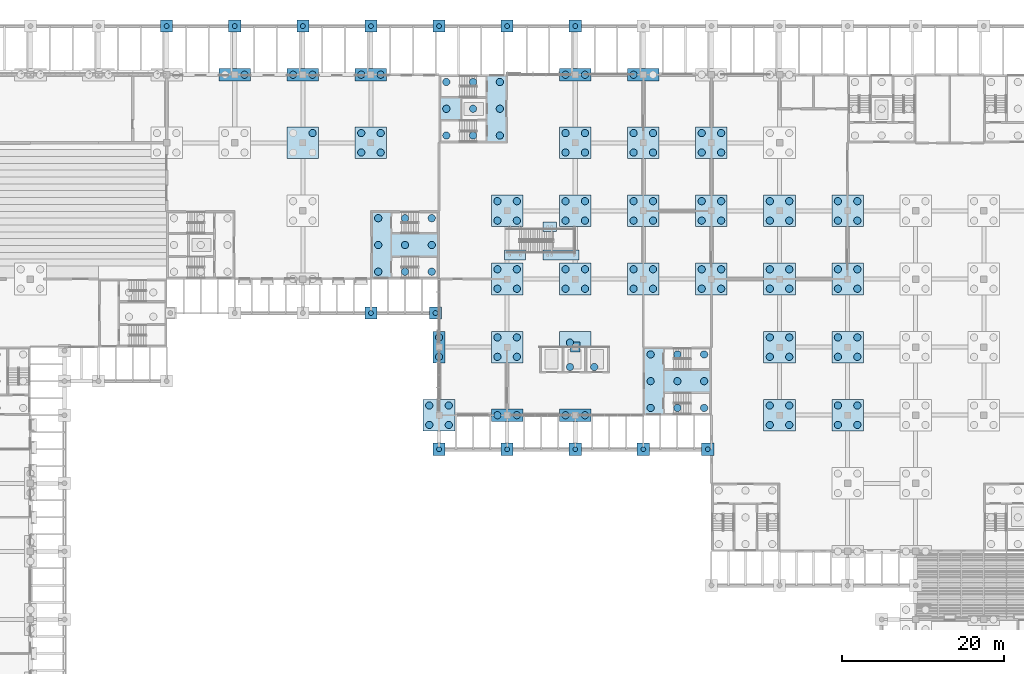
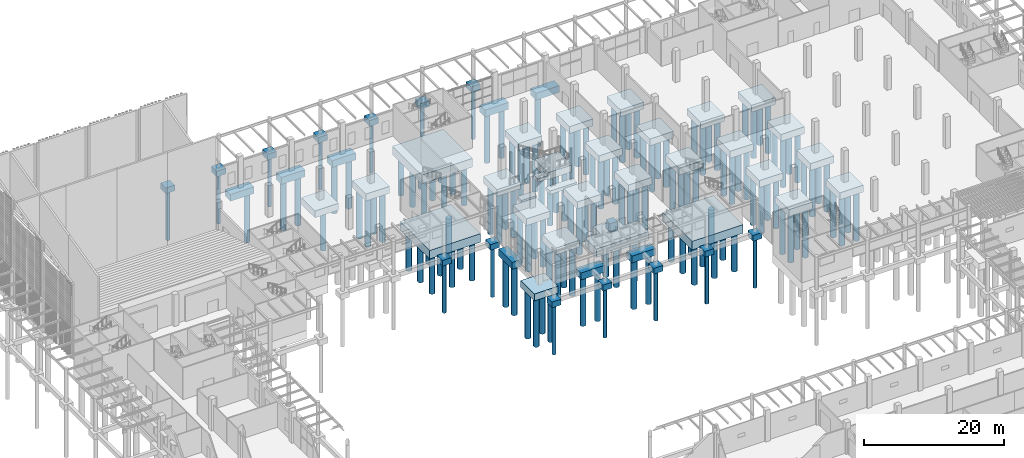
# One storey, part 3 of 82: 147 piles, 53 footings.
"""IFC4 building model written with IfcOpenShell, lengths in metres."""

from ifc_helpers import new_model, si_unit, direction, frame, origin, origin_2d, place, context, subcontext, project, spatial, polyline, rectangle, circle, outline, extrude, material, material_profile, profile_set, type_object, element, save


model = new_model("IFC4")

# Units and contexts
model_context = context("Model", 3, precision=1e-05, world=origin(), true_north=direction((0.0, 1.0)))
body_context = subcontext(model_context, "Body", "Model", "MODEL_VIEW")
ifc_project = project(units=[si_unit("LENGTHUNIT", "METRE"), si_unit("AREAUNIT", "SQUARE_METRE"), si_unit("VOLUMEUNIT", "CUBIC_METRE"), si_unit("PLANEANGLEUNIT", "RADIAN"), si_unit("MASSUNIT", "GRAM", prefix="KILO")], contexts=[model_context])

# Site, building, storey
site_placement = place(None, origin())
site = spatial("IfcSite", under=ifc_project, at=site_placement, CompositionType="ELEMENT")
building_placement = place(site_placement, origin())
building = spatial("IfcBuilding", under=site, at=building_placement, Name="Almond Square Museum", CompositionType="ELEMENT")
storey_placement = place(building_placement, origin())
storey = spatial("IfcBuildingStorey", under=building, at=storey_placement, Name="L00", CompositionType="ELEMENT", Elevation=0.0)

# Piles
ifc_material_1 = material(Name="Concrete C35/45", Category="concrete")
ifc_material_profile_1 = material_profile(ifc_material_1, circle(Radius=0.300048828125, at=origin_2d()))
ifc_profile_set_1 = profile_set([ifc_material_profile_1], Name="Concrete C35/45")
pile_type_1 = type_object("IfcPileType", Name="Bored pile D600 C35/45", PredefinedType="BORED", material=ifc_profile_set_1)
for number, where, z_axis, x_axis, name in (
    (1, (73.199951171875, 63.0, -1.199951171875), (0.0, 0.0, -1.0), (1.0, 0.0, 0.0), "Bored pile 121-1"),
    (2, (81.60009765625, 63.0, -1.199951171875), (0.0, 0.0, -1.0), (1.0, 0.0, 0.0), "Bored pile 122-1"),
    (3, (90.0, 63.0, -1.199951171875), (0.0, 0.0, -1.0), (1.0, 0.0, 0.0), "Bored pile 123-1"),
    (4, (98.39990234375, 63.0, -1.199951171875), (0.0, 0.0, -1.0), (1.0, 0.0, 0.0), "Bored pile 124-1"),
    (5, (106.35009765625, 63.0, -1.199951171875), (0.0, 0.0, -1.0), (1.0, 0.0, 0.0), "Bored pile 125-1"),
    (6, (64.800048828125, 79.800048828125, -1.199951171875), (0.0, 0.0, -1.0), (1.0, 0.0, 0.0), "Bored pile 159-1"),
    (7, (72.75, 79.800048828125, -1.199951171875), (0.0, 0.0, -1.0), (1.0, 0.0, 0.0), "Bored pile 160-1"),
    (8, (39.60009765625, 115.199951171875, -1.199951171875), (0.0, 0.0, -1.0), (1.0, 0.0, 0.0), "Bored pile 224-1"),
    (9, (48.0, 115.199951171875, -1.199951171875), (0.0, 0.0, -1.0), (1.0, 0.0, 0.0), "Bored pile 225-1"),
    (10, (56.39990234375, 115.199951171875, -1.199951171875), (0.0, 0.0, -1.0), (1.0, 0.0, 0.0), "Bored pile 226-1"),
    (11, (64.800048828125, 115.199951171875, -1.199951171875), (0.0, 0.0, -1.0), (1.0, 0.0, 0.0), "Bored pile 227-1"),
    (12, (73.199951171875, 115.199951171875, -1.199951171875), (0.0, 0.0, -1.0), (1.0, 0.0, 0.0), "Bored pile 228-1"),
    (13, (81.60009765625, 115.199951171875, -1.199951171875), (0.0, 0.0, -1.0), (1.0, 0.0, 0.0), "Bored pile 229-1"),
    (14, (90.0, 115.199951171875, -1.199951171875), (0.0, 0.0, -1.0), (1.0, 0.0, 0.0), "Bored pile 230-1"),
):
    element("IfcPile", number, at=place(storey_placement, frame(where, z_axis=z_axis, x_axis=x_axis)), inside=storey, type_object=pile_type_1, Name=name, PredefinedType="BORED", context=body_context, shape_type="SweptSolid", body=[
        extrude(circle(Radius=0.300048828125, at=origin_2d()), origin(), (0.0, 0.0, 1.0), 8.800048828125),
    ])
ifc_material_2 = material(Name="Concrete C35/45", Category="concrete")
ifc_material_profile_2 = material_profile(ifc_material_2, circle(Radius=0.449951171875, at=origin_2d()))
ifc_profile_set_2 = profile_set([ifc_material_profile_2], Name="Concrete C35/45")
pile_type_2 = type_object("IfcPileType", Name="Bored pile D900 C35/45", PredefinedType="BORED", material=ifc_profile_set_2)
for number, where, z_axis, x_axis, name in (
    (15, (72.0, 66.0, -1.39990234375), (0.0, 0.0, -1.0), (1.0, 0.0, 0.0), "Bored pile 127-1"),
    (16, (72.0, 68.39990234375, -1.39990234375), (0.0, 0.0, -1.0), (1.0, 0.0, 0.0), "Bored pile 127-2"),
    (17, (74.39990234375, 66.0, -1.39990234375), (0.0, 0.0, -1.0), (1.0, 0.0, 0.0), "Bored pile 127-3"),
    (18, (74.39990234375, 68.39990234375, -1.39990234375), (0.0, 0.0, -1.0), (1.0, 0.0, 0.0), "Bored pile 127-4"),
    (19, (114.0, 66.0, -1.39990234375), (0.0, 0.0, -1.0), (1.0, 0.0, 0.0), "Bored pile 128-1"),
    (20, (114.0, 68.39990234375, -1.39990234375), (0.0, 0.0, -1.0), (1.0, 0.0, 0.0), "Bored pile 128-2"),
    (21, (116.39990234375, 66.0, -1.39990234375), (0.0, 0.0, -1.0), (1.0, 0.0, 0.0), "Bored pile 128-3"),
    (22, (116.39990234375, 68.39990234375, -1.39990234375), (0.0, 0.0, -1.0), (1.0, 0.0, 0.0), "Bored pile 128-4"),
    (23, (122.39990234375, 66.0, -1.39990234375), (0.0, 0.0, -1.0), (1.0, 0.0, 0.0), "Bored pile 129-1"),
    (24, (122.39990234375, 68.39990234375, -1.39990234375), (0.0, 0.0, -1.0), (1.0, 0.0, 0.0), "Bored pile 129-2"),
    (25, (124.800048828125, 66.0, -1.39990234375), (0.0, 0.0, -1.0), (1.0, 0.0, 0.0), "Bored pile 129-3"),
    (26, (124.800048828125, 68.39990234375, -1.39990234375), (0.0, 0.0, -1.0), (1.0, 0.0, 0.0), "Bored pile 129-4"),
    (27, (80.39990234375, 67.199951171875, -1.39990234375), (0.0, 0.0, -1.0), (1.0, 0.0, 0.0), "Bored pile 136-1"),
    (28, (82.800048828125, 67.199951171875, -1.39990234375), (0.0, 0.0, -1.0), (1.0, 0.0, 0.0), "Bored pile 136-2"),
    (29, (88.800048828125, 67.199951171875, -1.39990234375), (0.0, 0.0, -1.0), (1.0, 0.0, 0.0), "Bored pile 137-1"),
    (30, (91.199951171875, 67.199951171875, -1.39990234375), (0.0, 0.0, -1.0), (1.0, 0.0, 0.0), "Bored pile 137-2"),
):
    element("IfcPile", number, at=place(storey_placement, frame(where, z_axis=z_axis, x_axis=x_axis)), inside=storey, type_object=pile_type_2, Name=name, PredefinedType="BORED", context=body_context, shape_type="SweptSolid", body=[
        extrude(circle(Radius=0.449951171875, at=origin_2d()), origin(), (0.0, 0.0, 1.0), 8.60009765625),
    ])
for number, where, z_axis, x_axis, name in (
    (31, (99.300048828125, 68.10009765625, -3.199951171875), (0.0, 0.0, -1.0), (1.0, 0.0, 0.0), "Bored pile 140-1"),
    (32, (99.300048828125, 71.39990234375, -3.199951171875), (0.0, 0.0, -1.0), (1.0, 0.0, 0.0), "Bored pile 140-2"),
    (33, (99.300048828125, 74.699951171875, -3.199951171875), (0.0, 0.0, -1.0), (1.0, 0.0, 0.0), "Bored pile 140-3"),
    (34, (102.60009765625, 68.10009765625, -3.199951171875), (0.0, 0.0, -1.0), (1.0, 0.0, 0.0), "Bored pile 140-4"),
    (35, (102.60009765625, 71.39990234375, -3.199951171875), (0.0, 0.0, -1.0), (1.0, 0.0, 0.0), "Bored pile 140-5"),
    (36, (102.60009765625, 74.699951171875, -3.199951171875), (0.0, 0.0, -1.0), (1.0, 0.0, 0.0), "Bored pile 140-6"),
    (37, (105.89990234375, 68.10009765625, -3.199951171875), (0.0, 0.0, -1.0), (1.0, 0.0, 0.0), "Bored pile 140-7"),
    (38, (105.89990234375, 71.39990234375, -3.199951171875), (0.0, 0.0, -1.0), (1.0, 0.0, 0.0), "Bored pile 140-8"),
    (39, (105.89990234375, 74.699951171875, -3.199951171875), (0.0, 0.0, -1.0), (1.0, 0.0, 0.0), "Bored pile 140-9"),
    (40, (89.35009765625, 73.14990234375, -3.199951171875), (0.0, 0.0, -1.0), (1.0, 0.0, 0.0), "Bored pile 144-1"),
    (41, (89.35009765625, 76.14990234375, -3.199951171875), (0.0, 0.0, -1.0), (1.0, 0.0, 0.0), "Bored pile 144-2"),
    (42, (92.35009765625, 73.14990234375, -3.199951171875), (0.0, 0.0, -1.0), (1.0, 0.0, 0.0), "Bored pile 144-3"),
):
    element("IfcPile", number, at=place(storey_placement, frame(where, z_axis=z_axis, x_axis=x_axis)), inside=storey, type_object=pile_type_2, Name=name, PredefinedType="BORED", context=body_context, shape_type="SweptSolid", body=[
        extrude(circle(Radius=0.449951171875, at=origin_2d()), origin(), (0.0, 0.0, 1.0), 6.800048828125),
    ])
for number, where, z_axis, x_axis, name in (
    (43, (73.199951171875, 74.39990234375, -1.39990234375), (0.0, 0.0, -1.0), (1.0, 0.0, 0.0), "Bored pile 145-1"),
    (44, (73.199951171875, 76.800048828125, -1.39990234375), (0.0, 0.0, -1.0), (1.0, 0.0, 0.0), "Bored pile 145-2"),
    (45, (80.39990234375, 74.39990234375, -1.39990234375), (0.0, 0.0, -1.0), (1.0, 0.0, 0.0), "Bored pile 146-1"),
    (46, (80.39990234375, 76.800048828125, -1.39990234375), (0.0, 0.0, -1.0), (1.0, 0.0, 0.0), "Bored pile 146-2"),
    (47, (82.800048828125, 74.39990234375, -1.39990234375), (0.0, 0.0, -1.0), (1.0, 0.0, 0.0), "Bored pile 146-3"),
    (48, (82.800048828125, 76.800048828125, -1.39990234375), (0.0, 0.0, -1.0), (1.0, 0.0, 0.0), "Bored pile 146-4"),
    (49, (114.0, 74.39990234375, -1.39990234375), (0.0, 0.0, -1.0), (1.0, 0.0, 0.0), "Bored pile 147-1"),
    (50, (114.0, 76.800048828125, -1.39990234375), (0.0, 0.0, -1.0), (1.0, 0.0, 0.0), "Bored pile 147-2"),
    (51, (116.39990234375, 74.39990234375, -1.39990234375), (0.0, 0.0, -1.0), (1.0, 0.0, 0.0), "Bored pile 147-3"),
    (52, (116.39990234375, 76.800048828125, -1.39990234375), (0.0, 0.0, -1.0), (1.0, 0.0, 0.0), "Bored pile 147-4"),
    (53, (122.39990234375, 74.39990234375, -1.39990234375), (0.0, 0.0, -1.0), (1.0, 0.0, 0.0), "Bored pile 148-1"),
    (54, (122.39990234375, 76.800048828125, -1.39990234375), (0.0, 0.0, -1.0), (1.0, 0.0, 0.0), "Bored pile 148-2"),
    (55, (124.800048828125, 74.39990234375, -1.39990234375), (0.0, 0.0, -1.0), (1.0, 0.0, 0.0), "Bored pile 148-3"),
    (56, (124.800048828125, 76.800048828125, -1.39990234375), (0.0, 0.0, -1.0), (1.0, 0.0, 0.0), "Bored pile 148-4"),
    (57, (80.39990234375, 82.800048828125, -1.39990234375), (0.0, 0.0, -1.0), (1.0, 0.0, 0.0), "Bored pile 162-1"),
    (58, (80.39990234375, 85.199951171875, -1.39990234375), (0.0, 0.0, -1.0), (1.0, 0.0, 0.0), "Bored pile 162-2"),
    (59, (82.800048828125, 82.800048828125, -1.39990234375), (0.0, 0.0, -1.0), (1.0, 0.0, 0.0), "Bored pile 162-3"),
    (60, (82.800048828125, 85.199951171875, -1.39990234375), (0.0, 0.0, -1.0), (1.0, 0.0, 0.0), "Bored pile 162-4"),
    (61, (88.800048828125, 82.800048828125, -1.39990234375), (0.0, 0.0, -1.0), (1.0, 0.0, 0.0), "Bored pile 163-1"),
    (62, (88.800048828125, 85.199951171875, -1.39990234375), (0.0, 0.0, -1.0), (1.0, 0.0, 0.0), "Bored pile 163-2"),
    (63, (91.199951171875, 82.800048828125, -1.39990234375), (0.0, 0.0, -1.0), (1.0, 0.0, 0.0), "Bored pile 163-3"),
    (64, (91.199951171875, 85.199951171875, -1.39990234375), (0.0, 0.0, -1.0), (1.0, 0.0, 0.0), "Bored pile 163-4"),
    (65, (97.199951171875, 82.800048828125, -1.39990234375), (0.0, 0.0, -1.0), (1.0, 0.0, 0.0), "Bored pile 164-1"),
    (66, (97.199951171875, 85.199951171875, -1.39990234375), (0.0, 0.0, -1.0), (1.0, 0.0, 0.0), "Bored pile 164-2"),
    (67, (99.60009765625, 82.800048828125, -1.39990234375), (0.0, 0.0, -1.0), (1.0, 0.0, 0.0), "Bored pile 164-3"),
    (68, (99.60009765625, 85.199951171875, -1.39990234375), (0.0, 0.0, -1.0), (1.0, 0.0, 0.0), "Bored pile 164-4"),
    (69, (105.60009765625, 82.800048828125, -1.39990234375), (0.0, 0.0, -1.0), (1.0, 0.0, 0.0), "Bored pile 165-1"),
    (70, (105.60009765625, 85.199951171875, -1.39990234375), (0.0, 0.0, -1.0), (1.0, 0.0, 0.0), "Bored pile 165-2"),
    (71, (108.0, 82.800048828125, -1.39990234375), (0.0, 0.0, -1.0), (1.0, 0.0, 0.0), "Bored pile 165-3"),
    (72, (108.0, 85.199951171875, -1.39990234375), (0.0, 0.0, -1.0), (1.0, 0.0, 0.0), "Bored pile 165-4"),
    (73, (114.0, 82.800048828125, -1.39990234375), (0.0, 0.0, -1.0), (1.0, 0.0, 0.0), "Bored pile 166-1"),
    (74, (114.0, 85.199951171875, -1.39990234375), (0.0, 0.0, -1.0), (1.0, 0.0, 0.0), "Bored pile 166-2"),
    (75, (116.39990234375, 82.800048828125, -1.39990234375), (0.0, 0.0, -1.0), (1.0, 0.0, 0.0), "Bored pile 166-3"),
    (76, (116.39990234375, 85.199951171875, -1.39990234375), (0.0, 0.0, -1.0), (1.0, 0.0, 0.0), "Bored pile 166-4"),
    (77, (122.39990234375, 82.800048828125, -1.39990234375), (0.0, 0.0, -1.0), (1.0, 0.0, 0.0), "Bored pile 167-1"),
    (78, (122.39990234375, 85.199951171875, -1.39990234375), (0.0, 0.0, -1.0), (1.0, 0.0, 0.0), "Bored pile 167-2"),
    (79, (124.800048828125, 82.800048828125, -1.39990234375), (0.0, 0.0, -1.0), (1.0, 0.0, 0.0), "Bored pile 167-3"),
    (80, (124.800048828125, 85.199951171875, -1.39990234375), (0.0, 0.0, -1.0), (1.0, 0.0, 0.0), "Bored pile 167-4"),
):
    element("IfcPile", number, at=place(storey_placement, frame(where, z_axis=z_axis, x_axis=x_axis)), inside=storey, type_object=pile_type_2, Name=name, PredefinedType="BORED", context=body_context, shape_type="SweptSolid", body=[
        extrude(circle(Radius=0.449951171875, at=origin_2d()), origin(), (0.0, 0.0, 1.0), 8.60009765625),
    ])
for number, where, z_axis, x_axis, name in (
    (81, (65.699951171875, 84.89990234375, -3.199951171875), (0.0, 0.0, -1.0), (1.0, 0.0, 0.0), "Bored pile 174-1"),
    (82, (65.699951171875, 88.199951171875, -3.199951171875), (0.0, 0.0, -1.0), (1.0, 0.0, 0.0), "Bored pile 174-2"),
    (83, (65.699951171875, 91.5, -3.199951171875), (0.0, 0.0, -1.0), (1.0, 0.0, 0.0), "Bored pile 174-3"),
    (84, (69.0, 84.89990234375, -3.199951171875), (0.0, 0.0, -1.0), (1.0, 0.0, 0.0), "Bored pile 174-4"),
    (85, (69.0, 88.199951171875, -3.199951171875), (0.0, 0.0, -1.0), (1.0, 0.0, 0.0), "Bored pile 174-5"),
    (86, (69.0, 91.5, -3.199951171875), (0.0, 0.0, -1.0), (1.0, 0.0, 0.0), "Bored pile 174-6"),
    (87, (72.300048828125, 84.89990234375, -3.199951171875), (0.0, 0.0, -1.0), (1.0, 0.0, 0.0), "Bored pile 174-7"),
    (88, (72.300048828125, 88.199951171875, -3.199951171875), (0.0, 0.0, -1.0), (1.0, 0.0, 0.0), "Bored pile 174-8"),
    (89, (72.300048828125, 91.5, -3.199951171875), (0.0, 0.0, -1.0), (1.0, 0.0, 0.0), "Bored pile 174-9"),
):
    element("IfcPile", number, at=place(storey_placement, frame(where, z_axis=z_axis, x_axis=x_axis)), inside=storey, type_object=pile_type_2, Name=name, PredefinedType="BORED", context=body_context, shape_type="SweptSolid", body=[
        extrude(circle(Radius=0.449951171875, at=origin_2d()), origin(), (0.0, 0.0, 1.0), 6.800048828125),
    ])
for number, where, z_axis, x_axis, name in (
    (90, (80.39990234375, 91.199951171875, -1.39990234375), (0.0, 0.0, -1.0), (1.0, 0.0, 0.0), "Bored pile 177-1"),
    (91, (80.39990234375, 93.60009765625, -1.39990234375), (0.0, 0.0, -1.0), (1.0, 0.0, 0.0), "Bored pile 177-2"),
    (92, (82.800048828125, 91.199951171875, -1.39990234375), (0.0, 0.0, -1.0), (1.0, 0.0, 0.0), "Bored pile 177-3"),
    (93, (82.800048828125, 93.60009765625, -1.39990234375), (0.0, 0.0, -1.0), (1.0, 0.0, 0.0), "Bored pile 177-4"),
    (94, (88.800048828125, 91.199951171875, -1.39990234375), (0.0, 0.0, -1.0), (1.0, 0.0, 0.0), "Bored pile 178-1"),
    (95, (88.800048828125, 93.60009765625, -1.39990234375), (0.0, 0.0, -1.0), (1.0, 0.0, 0.0), "Bored pile 178-2"),
    (96, (91.199951171875, 91.199951171875, -1.39990234375), (0.0, 0.0, -1.0), (1.0, 0.0, 0.0), "Bored pile 178-3"),
    (97, (91.199951171875, 93.60009765625, -1.39990234375), (0.0, 0.0, -1.0), (1.0, 0.0, 0.0), "Bored pile 178-4"),
    (98, (97.199951171875, 91.199951171875, -1.39990234375), (0.0, 0.0, -1.0), (1.0, 0.0, 0.0), "Bored pile 179-1"),
    (99, (97.199951171875, 93.60009765625, -1.39990234375), (0.0, 0.0, -1.0), (1.0, 0.0, 0.0), "Bored pile 179-2"),
    (100, (99.60009765625, 91.199951171875, -1.39990234375), (0.0, 0.0, -1.0), (1.0, 0.0, 0.0), "Bored pile 179-3"),
    (101, (99.60009765625, 93.60009765625, -1.39990234375), (0.0, 0.0, -1.0), (1.0, 0.0, 0.0), "Bored pile 179-4"),
    (102, (105.60009765625, 91.199951171875, -1.39990234375), (0.0, 0.0, -1.0), (1.0, 0.0, 0.0), "Bored pile 180-1"),
    (103, (105.60009765625, 93.60009765625, -1.39990234375), (0.0, 0.0, -1.0), (1.0, 0.0, 0.0), "Bored pile 180-2"),
    (104, (108.0, 91.199951171875, -1.39990234375), (0.0, 0.0, -1.0), (1.0, 0.0, 0.0), "Bored pile 180-3"),
    (105, (108.0, 93.60009765625, -1.39990234375), (0.0, 0.0, -1.0), (1.0, 0.0, 0.0), "Bored pile 180-4"),
    (106, (114.0, 91.199951171875, -1.39990234375), (0.0, 0.0, -1.0), (1.0, 0.0, 0.0), "Bored pile 181-1"),
    (107, (114.0, 93.60009765625, -1.39990234375), (0.0, 0.0, -1.0), (1.0, 0.0, 0.0), "Bored pile 181-2"),
    (108, (116.39990234375, 91.199951171875, -1.39990234375), (0.0, 0.0, -1.0), (1.0, 0.0, 0.0), "Bored pile 181-3"),
    (109, (116.39990234375, 93.60009765625, -1.39990234375), (0.0, 0.0, -1.0), (1.0, 0.0, 0.0), "Bored pile 181-4"),
    (110, (122.39990234375, 91.199951171875, -1.39990234375), (0.0, 0.0, -1.0), (1.0, 0.0, 0.0), "Bored pile 182-1"),
    (111, (122.39990234375, 93.60009765625, -1.39990234375), (0.0, 0.0, -1.0), (1.0, 0.0, 0.0), "Bored pile 182-2"),
    (112, (124.800048828125, 91.199951171875, -1.39990234375), (0.0, 0.0, -1.0), (1.0, 0.0, 0.0), "Bored pile 182-3"),
    (113, (124.800048828125, 93.60009765625, -1.39990234375), (0.0, 0.0, -1.0), (1.0, 0.0, 0.0), "Bored pile 182-4"),
    (114, (57.60009765625, 102.0, -1.39990234375), (0.0, 0.0, -1.0), (1.0, 0.0, 0.0), "Bored pile 192-4"),
    (115, (63.60009765625, 99.60009765625, -1.39990234375), (0.0, 0.0, -1.0), (1.0, 0.0, 0.0), "Bored pile 193-1"),
    (116, (63.60009765625, 102.0, -1.39990234375), (0.0, 0.0, -1.0), (1.0, 0.0, 0.0), "Bored pile 193-2"),
    (117, (66.0, 99.60009765625, -1.39990234375), (0.0, 0.0, -1.0), (1.0, 0.0, 0.0), "Bored pile 193-3"),
    (118, (66.0, 102.0, -1.39990234375), (0.0, 0.0, -1.0), (1.0, 0.0, 0.0), "Bored pile 193-4"),
    (119, (88.800048828125, 99.60009765625, -1.39990234375), (0.0, 0.0, -1.0), (1.0, 0.0, 0.0), "Bored pile 194-1"),
    (120, (88.800048828125, 102.0, -1.39990234375), (0.0, 0.0, -1.0), (1.0, 0.0, 0.0), "Bored pile 194-2"),
    (121, (91.199951171875, 99.60009765625, -1.39990234375), (0.0, 0.0, -1.0), (1.0, 0.0, 0.0), "Bored pile 194-3"),
    (122, (91.199951171875, 102.0, -1.39990234375), (0.0, 0.0, -1.0), (1.0, 0.0, 0.0), "Bored pile 194-4"),
    (123, (97.199951171875, 99.60009765625, -1.39990234375), (0.0, 0.0, -1.0), (1.0, 0.0, 0.0), "Bored pile 195-1"),
    (124, (97.199951171875, 102.0, -1.39990234375), (0.0, 0.0, -1.0), (1.0, 0.0, 0.0), "Bored pile 195-2"),
    (125, (99.60009765625, 99.60009765625, -1.39990234375), (0.0, 0.0, -1.0), (1.0, 0.0, 0.0), "Bored pile 195-3"),
    (126, (99.60009765625, 102.0, -1.39990234375), (0.0, 0.0, -1.0), (1.0, 0.0, 0.0), "Bored pile 195-4"),
    (127, (105.60009765625, 99.60009765625, -1.39990234375), (0.0, 0.0, -1.0), (1.0, 0.0, 0.0), "Bored pile 196-1"),
    (128, (105.60009765625, 102.0, -1.39990234375), (0.0, 0.0, -1.0), (1.0, 0.0, 0.0), "Bored pile 196-2"),
    (129, (108.0, 99.60009765625, -1.39990234375), (0.0, 0.0, -1.0), (1.0, 0.0, 0.0), "Bored pile 196-3"),
    (130, (108.0, 102.0, -1.39990234375), (0.0, 0.0, -1.0), (1.0, 0.0, 0.0), "Bored pile 196-4"),
):
    element("IfcPile", number, at=place(storey_placement, frame(where, z_axis=z_axis, x_axis=x_axis)), inside=storey, type_object=pile_type_2, Name=name, PredefinedType="BORED", context=body_context, shape_type="SweptSolid", body=[
        extrude(circle(Radius=0.449951171875, at=origin_2d()), origin(), (0.0, 0.0, 1.0), 8.60009765625),
    ])
for number, where, z_axis, x_axis, name in (
    (131, (74.10009765625, 101.699951171875, -3.199951171875), (0.0, 0.0, -1.0), (1.0, 0.0, 0.0), "Bored pile 201-1"),
    (132, (74.10009765625, 105.0, -3.199951171875), (0.0, 0.0, -1.0), (1.0, 0.0, 0.0), "Bored pile 201-2"),
    (133, (74.10009765625, 108.300048828125, -3.199951171875), (0.0, 0.0, -1.0), (1.0, 0.0, 0.0), "Bored pile 201-3"),
    (134, (77.39990234375, 101.699951171875, -3.199951171875), (0.0, 0.0, -1.0), (1.0, 0.0, 0.0), "Bored pile 201-4"),
    (135, (77.39990234375, 105.0, -3.199951171875), (0.0, 0.0, -1.0), (1.0, 0.0, 0.0), "Bored pile 201-5"),
    (136, (77.39990234375, 108.300048828125, -3.199951171875), (0.0, 0.0, -1.0), (1.0, 0.0, 0.0), "Bored pile 201-6"),
    (137, (80.699951171875, 101.699951171875, -3.199951171875), (0.0, 0.0, -1.0), (1.0, 0.0, 0.0), "Bored pile 201-7"),
    (138, (80.699951171875, 105.0, -3.199951171875), (0.0, 0.0, -1.0), (1.0, 0.0, 0.0), "Bored pile 201-8"),
    (139, (80.699951171875, 108.300048828125, -3.199951171875), (0.0, 0.0, -1.0), (1.0, 0.0, 0.0), "Bored pile 201-9"),
):
    element("IfcPile", number, at=place(storey_placement, frame(where, z_axis=z_axis, x_axis=x_axis)), inside=storey, type_object=pile_type_2, Name=name, PredefinedType="BORED", context=body_context, shape_type="SweptSolid", body=[
        extrude(circle(Radius=0.449951171875, at=origin_2d()), origin(), (0.0, 0.0, 1.0), 6.800048828125),
    ])
for number, where, z_axis, x_axis, name in (
    (140, (49.199951171875, 109.199951171875, -1.39990234375), (0.0, 0.0, -1.0), (1.0, 0.0, 0.0), "Bored pile 211-2"),
    (141, (55.199951171875, 109.199951171875, -1.39990234375), (0.0, 0.0, -1.0), (1.0, 0.0, 0.0), "Bored pile 212-1"),
    (142, (57.60009765625, 109.199951171875, -1.39990234375), (0.0, 0.0, -1.0), (1.0, 0.0, 0.0), "Bored pile 212-2"),
    (143, (63.60009765625, 109.199951171875, -1.39990234375), (0.0, 0.0, -1.0), (1.0, 0.0, 0.0), "Bored pile 213-1"),
    (144, (66.0, 109.199951171875, -1.39990234375), (0.0, 0.0, -1.0), (1.0, 0.0, 0.0), "Bored pile 213-2"),
    (145, (88.800048828125, 109.199951171875, -1.39990234375), (0.0, 0.0, -1.0), (1.0, 0.0, 0.0), "Bored pile 214-1"),
    (146, (91.199951171875, 109.199951171875, -1.39990234375), (0.0, 0.0, -1.0), (1.0, 0.0, 0.0), "Bored pile 214-2"),
    (147, (97.199951171875, 109.199951171875, -1.39990234375), (0.0, 0.0, -1.0), (1.0, 0.0, 0.0), "Bored pile 215-1"),
):
    element("IfcPile", number, at=place(storey_placement, frame(where, z_axis=z_axis, x_axis=x_axis)), inside=storey, type_object=pile_type_2, Name=name, PredefinedType="BORED", context=body_context, shape_type="SweptSolid", body=[
        extrude(circle(Radius=0.449951171875, at=origin_2d()), origin(), (0.0, 0.0, 1.0), 8.60009765625),
    ])

# Footings
ifc_material_3 = material(Name="Concrete C35/45", Category="concrete")
footing_type_1 = type_object("IfcFootingType", Name="Column pedestal on a combined cap", PredefinedType="PAD_FOOTING", material=ifc_material_3)
footing_1_placement = place(storey_placement, frame((90.0, 75.60009765625, -1.800048828125), z_axis=(0.0, 0.0, 1.0), x_axis=(1.0, 0.0, 0.0)))
element("IfcFooting", 148, at=footing_1_placement, inside=storey, type_object=footing_type_1, Name="Column pedestal PD-03", PredefinedType="PAD_FOOTING", context=body_context, shape_type="SweptSolid", body=[
    extrude(rectangle(XDim=1.199951171875, YDim=1.199951171875, at=origin_2d()), origin(), (0.0, 0.0, 1.0), 1.5),
])
ifc_material_4 = material(Name="Concrete C35/45", Category="concrete")
footing_type_2 = type_object("IfcFootingType", Name="Pile cap on a core and the columns beside it on a combined raft", PredefinedType="PILE_CAP", material=ifc_material_4)
footing_2_placement = place(storey_placement, frame((0.0, 0.0, -3.300048828125)))
element("IfcFooting", 149, at=footing_2_placement, inside=storey, type_object=footing_type_2, Name="Pile cap PC-144", PredefinedType="PILE_CAP", context=body_context, shape_type="SweptSolid", body=[
    extrude(outline(polyline([(94.199951171875, 75.60009765625), (94.199951171875, 72.39990234375), (85.60009765625, 72.39990234375), (85.60009765625, 75.60009765625), (88.050048828125, 75.60009765625), (88.050048828125, 77.550048828125), (91.949951171875, 77.550048828125), (91.949951171875, 75.60009765625), (94.199951171875, 75.60009765625)])), origin(), (0.0, 0.0, 1.0), 1.5),
])
ifc_material_5 = material(Name="Concrete C35/45", Category="concrete")
footing_type_3 = type_object("IfcFootingType", Name="Pile cap on four bored piles D900", PredefinedType="PILE_CAP", material=ifc_material_5)
for number, where, z_axis, x_axis, name in (
    (150, (73.199951171875, 67.199951171875, -1.5), (0.0, 0.0, 1.0), (1.0, 0.0, 0.0), "Pile cap PC-127"),
    (151, (115.199951171875, 67.199951171875, -1.5), (0.0, 0.0, 1.0), (1.0, 0.0, 0.0), "Pile cap PC-128"),
    (152, (123.60009765625, 67.199951171875, -1.5), (0.0, 0.0, 1.0), (1.0, 0.0, 0.0), "Pile cap PC-129"),
    (153, (81.60009765625, 75.60009765625, -1.5), (0.0, 0.0, 1.0), (1.0, 0.0, 0.0), "Pile cap PC-146"),
    (154, (115.199951171875, 75.60009765625, -1.5), (0.0, 0.0, 1.0), (1.0, 0.0, 0.0), "Pile cap PC-147"),
    (155, (123.60009765625, 75.60009765625, -1.5), (0.0, 0.0, 1.0), (1.0, 0.0, 0.0), "Pile cap PC-148"),
    (156, (81.60009765625, 84.0, -1.5), (0.0, 0.0, 1.0), (1.0, 0.0, 0.0), "Pile cap PC-162"),
    (157, (90.0, 84.0, -1.5), (0.0, 0.0, 1.0), (1.0, 0.0, 0.0), "Pile cap PC-163"),
    (158, (98.39990234375, 84.0, -1.5), (0.0, 0.0, 1.0), (1.0, 0.0, 0.0), "Pile cap PC-164"),
    (159, (106.800048828125, 84.0, -1.5), (0.0, 0.0, 1.0), (1.0, 0.0, 0.0), "Pile cap PC-165"),
    (160, (115.199951171875, 84.0, -1.5), (0.0, 0.0, 1.0), (1.0, 0.0, 0.0), "Pile cap PC-166"),
    (161, (123.60009765625, 84.0, -1.5), (0.0, 0.0, 1.0), (1.0, 0.0, 0.0), "Pile cap PC-167"),
    (162, (81.60009765625, 92.39990234375, -1.5), (0.0, 0.0, 1.0), (1.0, 0.0, 0.0), "Pile cap PC-177"),
    (163, (90.0, 92.39990234375, -1.5), (0.0, 0.0, 1.0), (1.0, 0.0, 0.0), "Pile cap PC-178"),
    (164, (98.39990234375, 92.39990234375, -1.5), (0.0, 0.0, 1.0), (1.0, 0.0, 0.0), "Pile cap PC-179"),
    (165, (106.800048828125, 92.39990234375, -1.5), (0.0, 0.0, 1.0), (1.0, 0.0, 0.0), "Pile cap PC-180"),
    (166, (115.199951171875, 92.39990234375, -1.5), (0.0, 0.0, 1.0), (1.0, 0.0, 0.0), "Pile cap PC-181"),
    (167, (123.60009765625, 92.39990234375, -1.5), (0.0, 0.0, 1.0), (1.0, 0.0, 0.0), "Pile cap PC-182"),
    (168, (56.39990234375, 100.800048828125, -1.5), (0.0, 0.0, 1.0), (1.0, 0.0, 0.0), "Pile cap PC-192"),
    (169, (64.800048828125, 100.800048828125, -1.5), (0.0, 0.0, 1.0), (1.0, 0.0, 0.0), "Pile cap PC-193"),
    (170, (90.0, 100.800048828125, -1.5), (0.0, 0.0, 1.0), (1.0, 0.0, 0.0), "Pile cap PC-194"),
    (171, (98.39990234375, 100.800048828125, -1.5), (0.0, 0.0, 1.0), (1.0, 0.0, 0.0), "Pile cap PC-195"),
    (172, (106.800048828125, 100.800048828125, -1.5), (0.0, 0.0, 1.0), (1.0, 0.0, 0.0), "Pile cap PC-196"),
):
    element("IfcFooting", number, at=place(storey_placement, frame(where, z_axis=z_axis, x_axis=x_axis)), inside=storey, type_object=footing_type_3, Name=name, PredefinedType="PILE_CAP", context=body_context, shape_type="SweptSolid", body=[
        extrude(rectangle(XDim=3.89990234375, YDim=3.89990234375, at=origin_2d()), origin(), (0.0, 0.0, 1.0), 1.199951171875),
    ])
ifc_material_6 = material(Name="Concrete C35/45", Category="concrete")
footing_type_4 = type_object("IfcFootingType", Name="Pile cap on nine bored piles D900 under a stair core", PredefinedType="PILE_CAP", material=ifc_material_6)
for number, where, z_axis, x_axis, name in (
    (173, (102.60009765625, 71.39990234375, -3.300048828125), (0.0, 0.0, 1.0), (1.0, 0.0, 0.0), "Pile cap PC-140"),
    (174, (69.0, 88.199951171875, -3.300048828125), (0.0, 0.0, 1.0), (1.0, 0.0, 0.0), "Pile cap PC-174"),
    (175, (77.39990234375, 105.0, -3.300048828125), (0.0, 0.0, 1.0), (1.0, 0.0, 0.0), "Pile cap PC-201"),
):
    element("IfcFooting", number, at=place(storey_placement, frame(where, z_axis=z_axis, x_axis=x_axis)), inside=storey, type_object=footing_type_4, Name=name, PredefinedType="PILE_CAP", context=body_context, shape_type="SweptSolid", body=[
        extrude(rectangle(XDim=8.39990234375, YDim=8.39990234375, at=origin_2d()), origin(), (0.0, 0.0, 1.0), 1.5),
    ])
ifc_material_7 = material(Name="Concrete C35/45", Category="concrete")
footing_type_5 = type_object("IfcFootingType", Name="Pile cap on one bored pile D600", PredefinedType="PILE_CAP", material=ifc_material_7)
for number, where, z_axis, x_axis, name in (
    (176, (73.199951171875, 63.0, -1.300048828125), (0.0, 0.0, 1.0), (1.0, 0.0, 0.0), "Pile cap PC-121"),
    (177, (81.60009765625, 63.0, -1.300048828125), (0.0, 0.0, 1.0), (1.0, 0.0, 0.0), "Pile cap PC-122"),
    (178, (90.0, 63.0, -1.300048828125), (0.0, 0.0, 1.0), (1.0, 0.0, 0.0), "Pile cap PC-123"),
    (179, (98.39990234375, 63.0, -1.300048828125), (0.0, 0.0, 1.0), (1.0, 0.0, 0.0), "Pile cap PC-124"),
    (180, (106.35009765625, 63.0, -1.300048828125), (0.0, 0.0, 1.0), (1.0, 0.0, 0.0), "Pile cap PC-125"),
    (181, (64.800048828125, 79.800048828125, -1.300048828125), (0.0, 0.0, 1.0), (1.0, 0.0, 0.0), "Pile cap PC-159"),
    (182, (72.75, 79.800048828125, -1.300048828125), (0.0, 0.0, 1.0), (1.0, 0.0, 0.0), "Pile cap PC-160"),
    (183, (39.60009765625, 115.199951171875, -1.300048828125), (0.0, 0.0, 1.0), (1.0, 0.0, 0.0), "Pile cap PC-224"),
    (184, (48.0, 115.199951171875, -1.300048828125), (0.0, 0.0, 1.0), (1.0, 0.0, 0.0), "Pile cap PC-225"),
    (185, (56.39990234375, 115.199951171875, -1.300048828125), (0.0, 0.0, 1.0), (1.0, 0.0, 0.0), "Pile cap PC-226"),
    (186, (64.800048828125, 115.199951171875, -1.300048828125), (0.0, 0.0, 1.0), (1.0, 0.0, 0.0), "Pile cap PC-227"),
    (187, (73.199951171875, 115.199951171875, -1.300048828125), (0.0, 0.0, 1.0), (1.0, 0.0, 0.0), "Pile cap PC-228"),
    (188, (81.60009765625, 115.199951171875, -1.300048828125), (0.0, 0.0, 1.0), (1.0, 0.0, 0.0), "Pile cap PC-229"),
    (189, (90.0, 115.199951171875, -1.300048828125), (0.0, 0.0, 1.0), (1.0, 0.0, 0.0), "Pile cap PC-230"),
):
    element("IfcFooting", number, at=place(storey_placement, frame(where, z_axis=z_axis, x_axis=x_axis)), inside=storey, type_object=footing_type_5, Name=name, PredefinedType="PILE_CAP", context=body_context, shape_type="SweptSolid", body=[
        extrude(rectangle(XDim=1.5, YDim=1.5, at=origin_2d()), origin(), (0.0, 0.0, 1.0), 1.0),
    ])
ifc_material_8 = material(Name="Concrete C35/45", Category="concrete")
footing_type_6 = type_object("IfcFootingType", Name="Pile cap on two bored piles D900", PredefinedType="PILE_CAP", material=ifc_material_8)
for number, where, z_axis, x_axis, name in (
    (190, (81.60009765625, 67.199951171875, -1.5), (0.0, 0.0, 1.0), (1.0, 0.0, 0.0), "Pile cap PC-136"),
    (191, (90.0, 67.199951171875, -1.5), (0.0, 0.0, 1.0), (1.0, 0.0, 0.0), "Pile cap PC-137"),
):
    element("IfcFooting", number, at=place(storey_placement, frame(where, z_axis=z_axis, x_axis=x_axis)), inside=storey, type_object=footing_type_6, Name=name, PredefinedType="PILE_CAP", context=body_context, shape_type="SweptSolid", body=[
        extrude(rectangle(XDim=3.89990234375, YDim=1.5, at=origin_2d()), origin(), (0.0, 0.0, 1.0), 1.199951171875),
    ])
footing_3_placement = place(storey_placement, frame((73.199951171875, 75.60009765625, -1.5), z_axis=(0.0, 0.0, 1.0), x_axis=(1.0, 0.0, 0.0)))
element("IfcFooting", 192, at=footing_3_placement, inside=storey, type_object=footing_type_6, Name="Pile cap PC-145", PredefinedType="PILE_CAP", context=body_context, shape_type="SweptSolid", body=[
    extrude(rectangle(XDim=1.5, YDim=3.89990234375, at=origin_2d()), origin(), (0.0, 0.0, 1.0), 1.199951171875),
])
for number, where, z_axis, x_axis, name in (
    (193, (48.0, 109.199951171875, -1.5), (0.0, 0.0, 1.0), (1.0, 0.0, 0.0), "Pile cap PC-211"),
    (194, (56.39990234375, 109.199951171875, -1.5), (0.0, 0.0, 1.0), (1.0, 0.0, 0.0), "Pile cap PC-212"),
    (195, (64.800048828125, 109.199951171875, -1.5), (0.0, 0.0, 1.0), (1.0, 0.0, 0.0), "Pile cap PC-213"),
    (196, (90.0, 109.199951171875, -1.5), (0.0, 0.0, 1.0), (1.0, 0.0, 0.0), "Pile cap PC-214"),
    (197, (98.39990234375, 109.199951171875, -1.5), (0.0, 0.0, 1.0), (1.0, 0.0, 0.0), "Pile cap PC-215"),
):
    element("IfcFooting", number, at=place(storey_placement, frame(where, z_axis=z_axis, x_axis=x_axis)), inside=storey, type_object=footing_type_6, Name=name, PredefinedType="PILE_CAP", context=body_context, shape_type="SweptSolid", body=[
        extrude(rectangle(XDim=3.89990234375, YDim=1.5, at=origin_2d()), origin(), (0.0, 0.0, 1.0), 1.199951171875),
    ])
ifc_material_9 = material(Name="Concrete C35/45", Category="concrete")
footing_type_7 = type_object("IfcFootingType", Name="Strip footing 1200 x 600 C35/45", PredefinedType="STRIP_FOOTING", material=ifc_material_9)
footing_4_placement = place(storey_placement, frame((82.572509765625, 86.949951171875, -0.900146484375), z_axis=(0.0, 0.0, 1.0), x_axis=(1.0, 0.0, 0.0)))
element("IfcFooting", 198, at=footing_4_placement, inside=storey, type_object=footing_type_7, Name="Strip footing SF-01 under the feature stair columns", PredefinedType="STRIP_FOOTING", context=body_context, shape_type="SweptSolid", body=[
    extrude(rectangle(XDim=2.544921875, YDim=1.199951171875, at=origin_2d()), origin(), (0.0, 0.0, 1.0), 0.60009765625),
])
footing_5_placement = place(storey_placement, frame((88.222412109375, 86.949951171875, -0.900146484375), z_axis=(0.0, 0.0, 1.0), x_axis=(1.0, 0.0, 0.0)))
element("IfcFooting", 199, at=footing_5_placement, inside=storey, type_object=footing_type_7, Name="Strip footing SF-02 under the feature stair columns", PredefinedType="STRIP_FOOTING", context=body_context, shape_type="SweptSolid", body=[
    extrude(rectangle(XDim=4.455078125, YDim=1.199951171875, at=origin_2d()), origin(), (0.0, 0.0, 1.0), 0.60009765625),
])
footing_6_placement = place(storey_placement, frame((86.840087890625, 90.449951171875, -0.900146484375), z_axis=(0.0, 0.0, 1.0), x_axis=(1.0, 0.0, 0.0)))
element("IfcFooting", 200, at=footing_6_placement, inside=storey, type_object=footing_type_7, Name="Strip footing SF-03 under the feature stair columns", PredefinedType="STRIP_FOOTING", context=body_context, shape_type="SweptSolid", body=[
    extrude(rectangle(XDim=1.68994140625, YDim=1.199951171875, at=origin_2d()), origin(), (0.0, 0.0, 1.0), 0.60009765625),
])

save(model, "model.ifc")
